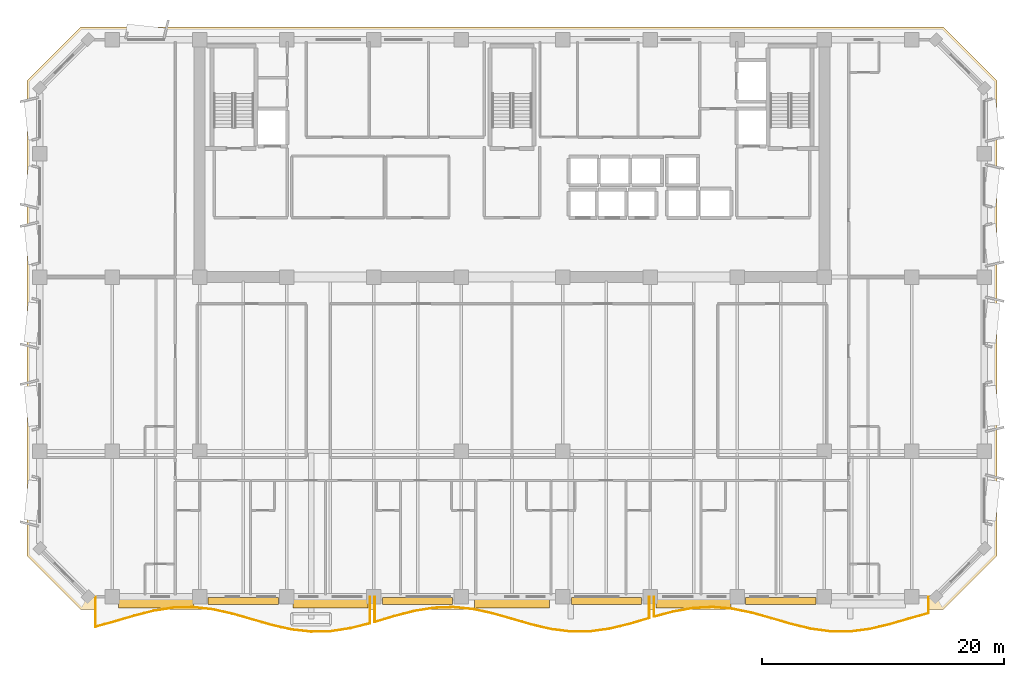
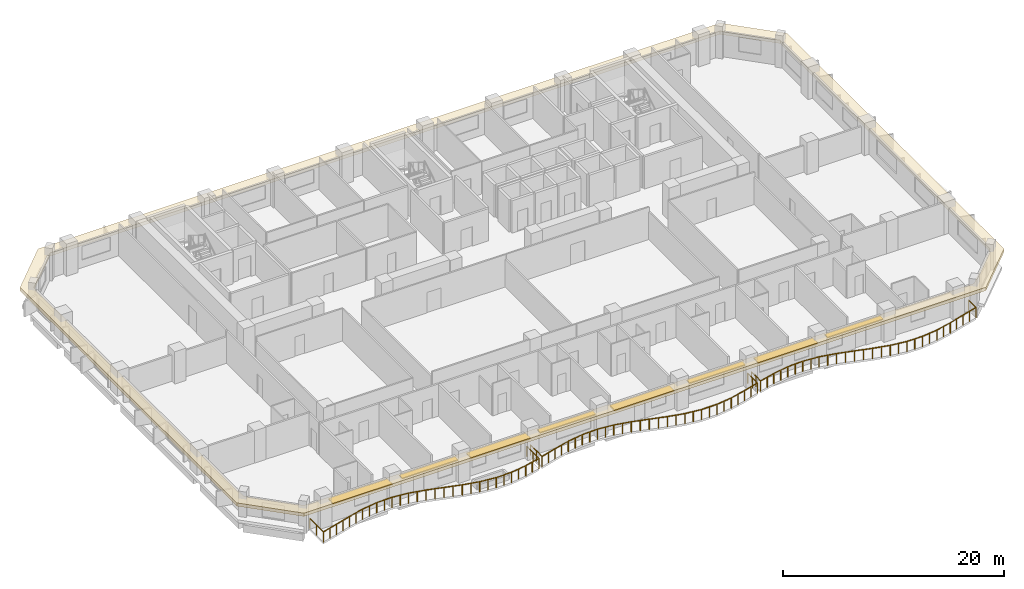
# One storey, part 11 of 15: 8 shading devices, 3 railings, 1 covering.
"""IFC4 building model written with IfcOpenShell, lengths in metres."""

from ifc_helpers import new_model, si_unit, direction, frame, origin, origin_2d, place, context, subcontext, project, spatial, polyline, rectangle, outline, extrude, material, layer, layer_set, type_object, element, save


model = new_model("IFC4")

# Units and contexts
model_context = context("Model", 3, precision=1e-05, world=origin(), true_north=direction((0.0, 1.0)))
body_context = subcontext(model_context, "Body", "Model", "MODEL_VIEW")
ifc_project = project(units=[si_unit("LENGTHUNIT", "METRE"), si_unit("AREAUNIT", "SQUARE_METRE"), si_unit("VOLUMEUNIT", "CUBIC_METRE"), si_unit("PLANEANGLEUNIT", "RADIAN"), si_unit("MASSUNIT", "GRAM", prefix="KILO")], contexts=[model_context])

# Site, building, storey
site_placement = place(None, origin())
site = spatial("IfcSite", under=ifc_project, at=site_placement, CompositionType="ELEMENT")
building_placement = place(site_placement, origin())
building = spatial("IfcBuilding", under=site, at=building_placement, Name="Kaelvorn Grand Hotel", CompositionType="ELEMENT")
storey_placement = place(building_placement, frame((0.0, 0.0, 154.35009765625)))
storey = spatial("IfcBuildingStorey", under=building, at=storey_placement, Name="L37", CompositionType="ELEMENT", Elevation=154.35009765625)

# Covering
ifc_material_1 = material(Name="Precast concrete C45/55", Category="concrete")
ifc_layer_1 = layer(ifc_material_1, 0.260009765625)
ifc_layer_set_1 = layer_set([ifc_layer_1], Name="Precast concrete C45/55")
covering_type = type_object("IfcCoveringType", Name="COV-BAND-STREAMLINE-HEAD", PredefinedType="CLADDING", material=ifc_layer_set_1)
covering_placement = place(storey_placement, frame((0.0, 0.0, 2.3798828125)))
element("IfcCovering", 1, at=covering_placement, inside=storey, type_object=covering_type, Name="L37 Streamline Moderne Wraparound Horizontal Eyebrow Band", PredefinedType="CLADDING", context=body_context, shape_type="SweptSolid", body=[
    extrude(outline(polyline([(6.389892578125, 1.949951171875), (77.610107421875, 1.949951171875), (82.050048828125, 6.389892578125), (82.050048828125, 45.610107421875), (77.610107421875, 50.050048828125), (6.389892578125, 50.050048828125), (1.949951171875, 45.610107421875), (1.949951171875, 6.389892578125), (6.389892578125, 1.949951171875)]), holes=[polyline([(7.02001953125, 3.030029296875), (76.97998046875, 3.030029296875), (80.969970703125, 7.02001953125), (80.969970703125, 44.97998046875), (76.97998046875, 48.969970703125), (7.02001953125, 48.969970703125), (3.030029296875, 44.97998046875), (3.030029296875, 7.02001953125), (7.02001953125, 3.030029296875)])]), origin(), (0.0, 0.0, 1.0), 0.360107421875),
])

# Railings
ifc_material_2 = material(Name="Stainless Steel", Category="steel")
railing_type = type_object("IfcRailingType", Name="RL-BALC-1150", PredefinedType="BALUSTRADE", material=ifc_material_2)
railing_1_placement = place(storey_placement, frame((7.60009765625, 3.0, 0.0)))
element("IfcRailing", 2, at=railing_1_placement, inside=storey, type_object=railing_type, Name="L37 Scalloped Wave Balcony Balustrade GR1-1", PredefinedType="BALUSTRADE", context=body_context, shape_type="SweptSolid", body=[
    extrude(rectangle(XDim=0.048095703125, YDim=0.048095703125, at=origin_2d()), frame((0.0, 0.0, 1.1259765625), z_axis=(0.0, -1.0, 0.0), x_axis=(1.0, 0.0, 0.0)), (0.0, 0.0, 1.0), 2.4775390625),
    extrude(rectangle(XDim=0.048095703125, YDim=0.048095703125, at=origin_2d()), frame((0.0, -2.4775390625, 1.1259765625), z_axis=(0.964706723911, 0.263326673244, 0.0), x_axis=(-0.263326673244, 0.964706723911, 0.0)), (0.0, 0.0, 1.0), 1.67822265625),
    extrude(rectangle(XDim=0.048095703125, YDim=0.048095703125, at=origin_2d()), frame((1.618896484375, -2.03564453125, 1.1259765625), z_axis=(0.959271015447, 0.282487378343, 0.0), x_axis=(-0.282487378343, 0.959271015447, 0.0)), (0.0, 0.0, 1.0), 1.68798828125),
    extrude(rectangle(XDim=0.048095703125, YDim=0.048095703125, at=origin_2d()), frame((3.238037109375, -1.558837890625, 1.1259765625), z_axis=(0.969684876745, 0.244358834119, 0.0), x_axis=(-0.244358834119, 0.969684876745, 0.0)), (0.0, 0.0, 1.0), 1.66943359375),
    extrude(rectangle(XDim=0.048095703125, YDim=0.048095703125, at=origin_2d()), frame((4.85693359375, -1.15087890625, 1.1259765625), z_axis=(0.988266376018, 0.152740204375, 0.0), x_axis=(-0.152740204375, 0.988266376018, 0.0)), (0.0, 0.0, 1.0), 1.638427734375),
    extrude(rectangle(XDim=0.048095703125, YDim=0.048095703125, at=origin_2d()), frame((6.47607421875, -0.900634765625, 1.1259765625), z_axis=(0.999719909885, 0.023666469519, 0.0), x_axis=(-0.023666469519, 0.999719909885, 0.0)), (0.0, 0.0, 1.0), 1.61962890625),
    extrude(rectangle(XDim=0.048095703125, YDim=0.048095703125, at=origin_2d()), frame((8.09521484375, -0.8623046875, 1.1259765625), z_axis=(0.993714448336, -0.111944607587, 0.0), x_axis=(0.111944607587, 0.993714448336, 0.0)), (0.0, 0.0, 1.0), 1.629150390625),
    extrude(rectangle(XDim=0.048095703125, YDim=0.048095703125, at=origin_2d()), frame((9.714111328125, -1.044677734375, 1.1259765625), z_axis=(0.975741913749, -0.218923999949, 0.0), x_axis=(0.218923999949, 0.975741913749, 0.0)), (0.0, 0.0, 1.0), 1.659423828125),
    extrude(rectangle(XDim=0.048095703125, YDim=0.048095703125, at=origin_2d()), frame((11.333251953125, -1.407958984375, 1.1259765625), z_axis=(0.961173148549, -0.275945970271, 0.0), x_axis=(0.275945970271, 0.961173148549, 0.0)), (0.0, 0.0, 1.0), 1.6845703125),
    extrude(rectangle(XDim=0.048095703125, YDim=0.048095703125, at=origin_2d()), frame((12.952392578125, -1.872802734375, 1.1259765625), z_axis=(0.961085178818, -0.276252201904, 0.0), x_axis=(0.276252201904, 0.961085178818, 0.0)), (0.0, 0.0, 1.0), 1.684326171875),
    extrude(rectangle(XDim=0.048095703125, YDim=0.048095703125, at=origin_2d()), frame((14.5712890625, -2.338134765625, 1.1259765625), z_axis=(0.975584547078, -0.219624205185, 0.0), x_axis=(0.219624205185, 0.975584547078, 0.0)), (0.0, 0.0, 1.0), 1.65966796875),
    extrude(rectangle(XDim=0.048095703125, YDim=0.048095703125, at=origin_2d()), frame((16.1904296875, -2.70263671875, 1.1259765625), z_axis=(0.993580397726, -0.113128215998, 0.0), x_axis=(0.113128215998, 0.993580397726, 0.0)), (0.0, 0.0, 1.0), 1.62939453125),
    extrude(rectangle(XDim=0.048095703125, YDim=0.048095703125, at=origin_2d()), frame((17.809326171875, -2.886962890625, 1.1259765625), z_axis=(0.999751090068, 0.022310488741, 0.0), x_axis=(-0.022310488741, 0.999751090068, 0.0)), (0.0, 0.0, 1.0), 1.61962890625),
    extrude(rectangle(XDim=0.048095703125, YDim=0.048095703125, at=origin_2d()), frame((19.428466796875, -2.850830078125, 1.1259765625), z_axis=(0.988423330197, 0.151721192723, 0.0), x_axis=(-0.151721192723, 0.988423330197, 0.0)), (0.0, 0.0, 1.0), 1.63818359375),
    extrude(rectangle(XDim=0.048095703125, YDim=0.048095703125, at=origin_2d()), frame((21.047607421875, -2.602294921875, 1.1259765625), z_axis=(0.969857916649, 0.243671133937, 0.0), x_axis=(-0.243671133937, 0.969857916649, 0.0)), (0.0, 0.0, 1.0), 1.669189453125),
    extrude(rectangle(XDim=0.048095703125, YDim=0.048095703125, at=origin_2d()), frame((22.66650390625, -2.195556640625, 1.1259765625), z_axis=(0.0, 1.0, 0.0), x_axis=(-1.0, 0.0, 0.0)), (0.0, 0.0, 1.0), 2.195556640625),
    extrude(rectangle(XDim=0.0419921875, YDim=0.0419921875, at=origin_2d()), origin(), (0.0, 0.0, 1.0), 1.101806640625),
    extrude(rectangle(XDim=0.0419921875, YDim=0.0419921875, at=origin_2d()), frame((0.0, -1.23876953125, 0.0)), (0.0, 0.0, 1.0), 1.101806640625),
    extrude(rectangle(XDim=0.0419921875, YDim=0.0419921875, at=origin_2d()), frame((0.0, -2.4775390625, 0.0)), (0.0, 0.0, 1.0), 1.101806640625),
    extrude(rectangle(XDim=0.0419921875, YDim=0.0419921875, at=origin_2d()), frame((0.8095703125, -2.256591796875, 0.0)), (0.0, 0.0, 1.0), 1.101806640625),
    extrude(rectangle(XDim=0.0419921875, YDim=0.0419921875, at=origin_2d()), frame((1.618896484375, -2.03564453125, 0.0)), (0.0, 0.0, 1.0), 1.101806640625),
    extrude(rectangle(XDim=0.0419921875, YDim=0.0419921875, at=origin_2d()), frame((2.428466796875, -1.79736328125, 0.0)), (0.0, 0.0, 1.0), 1.101806640625),
    extrude(rectangle(XDim=0.0419921875, YDim=0.0419921875, at=origin_2d()), frame((3.238037109375, -1.558837890625, 0.0)), (0.0, 0.0, 1.0), 1.101806640625),
    extrude(rectangle(XDim=0.0419921875, YDim=0.0419921875, at=origin_2d()), frame((4.04736328125, -1.35498046875, 0.0)), (0.0, 0.0, 1.0), 1.101806640625),
    extrude(rectangle(XDim=0.0419921875, YDim=0.0419921875, at=origin_2d()), frame((4.85693359375, -1.15087890625, 0.0)), (0.0, 0.0, 1.0), 1.101806640625),
    extrude(rectangle(XDim=0.0419921875, YDim=0.0419921875, at=origin_2d()), frame((5.66650390625, -1.02587890625, 0.0)), (0.0, 0.0, 1.0), 1.101806640625),
    extrude(rectangle(XDim=0.0419921875, YDim=0.0419921875, at=origin_2d()), frame((6.47607421875, -0.900634765625, 0.0)), (0.0, 0.0, 1.0), 1.101806640625),
    extrude(rectangle(XDim=0.0419921875, YDim=0.0419921875, at=origin_2d()), frame((7.28564453125, -0.88134765625, 0.0)), (0.0, 0.0, 1.0), 1.101806640625),
    extrude(rectangle(XDim=0.0419921875, YDim=0.0419921875, at=origin_2d()), frame((8.09521484375, -0.8623046875, 0.0)), (0.0, 0.0, 1.0), 1.101806640625),
    extrude(rectangle(XDim=0.0419921875, YDim=0.0419921875, at=origin_2d()), frame((8.90478515625, -0.95361328125, 0.0)), (0.0, 0.0, 1.0), 1.101806640625),
    extrude(rectangle(XDim=0.0419921875, YDim=0.0419921875, at=origin_2d()), frame((9.714111328125, -1.044677734375, 0.0)), (0.0, 0.0, 1.0), 1.101806640625),
    extrude(rectangle(XDim=0.0419921875, YDim=0.0419921875, at=origin_2d()), frame((10.523681640625, -1.226318359375, 0.0)), (0.0, 0.0, 1.0), 1.101806640625),
    extrude(rectangle(XDim=0.0419921875, YDim=0.0419921875, at=origin_2d()), frame((11.333251953125, -1.407958984375, 0.0)), (0.0, 0.0, 1.0), 1.101806640625),
    extrude(rectangle(XDim=0.0419921875, YDim=0.0419921875, at=origin_2d()), frame((12.142822265625, -1.640380859375, 0.0)), (0.0, 0.0, 1.0), 1.101806640625),
    extrude(rectangle(XDim=0.0419921875, YDim=0.0419921875, at=origin_2d()), frame((12.952392578125, -1.872802734375, 0.0)), (0.0, 0.0, 1.0), 1.101806640625),
    extrude(rectangle(XDim=0.0419921875, YDim=0.0419921875, at=origin_2d()), frame((13.76171875, -2.10546875, 0.0)), (0.0, 0.0, 1.0), 1.101806640625),
    extrude(rectangle(XDim=0.0419921875, YDim=0.0419921875, at=origin_2d()), frame((14.5712890625, -2.338134765625, 0.0)), (0.0, 0.0, 1.0), 1.101806640625),
    extrude(rectangle(XDim=0.0419921875, YDim=0.0419921875, at=origin_2d()), frame((15.380859375, -2.5205078125, 0.0)), (0.0, 0.0, 1.0), 1.101806640625),
    extrude(rectangle(XDim=0.0419921875, YDim=0.0419921875, at=origin_2d()), frame((16.1904296875, -2.70263671875, 0.0)), (0.0, 0.0, 1.0), 1.101806640625),
    extrude(rectangle(XDim=0.0419921875, YDim=0.0419921875, at=origin_2d()), frame((17.0, -2.794921875, 0.0)), (0.0, 0.0, 1.0), 1.101806640625),
    extrude(rectangle(XDim=0.0419921875, YDim=0.0419921875, at=origin_2d()), frame((17.809326171875, -2.886962890625, 0.0)), (0.0, 0.0, 1.0), 1.101806640625),
    extrude(rectangle(XDim=0.0419921875, YDim=0.0419921875, at=origin_2d()), frame((18.618896484375, -2.868896484375, 0.0)), (0.0, 0.0, 1.0), 1.101806640625),
    extrude(rectangle(XDim=0.0419921875, YDim=0.0419921875, at=origin_2d()), frame((19.428466796875, -2.850830078125, 0.0)), (0.0, 0.0, 1.0), 1.101806640625),
    extrude(rectangle(XDim=0.0419921875, YDim=0.0419921875, at=origin_2d()), frame((20.238037109375, -2.7265625, 0.0)), (0.0, 0.0, 1.0), 1.101806640625),
    extrude(rectangle(XDim=0.0419921875, YDim=0.0419921875, at=origin_2d()), frame((21.047607421875, -2.602294921875, 0.0)), (0.0, 0.0, 1.0), 1.101806640625),
    extrude(rectangle(XDim=0.0419921875, YDim=0.0419921875, at=origin_2d()), frame((21.85693359375, -2.39892578125, 0.0)), (0.0, 0.0, 1.0), 1.101806640625),
    extrude(rectangle(XDim=0.0419921875, YDim=0.0419921875, at=origin_2d()), frame((22.66650390625, -2.195556640625, 0.0)), (0.0, 0.0, 1.0), 1.101806640625),
    extrude(rectangle(XDim=0.0419921875, YDim=0.0419921875, at=origin_2d()), frame((22.66650390625, -1.09765625, 0.0)), (0.0, 0.0, 1.0), 1.101806640625),
    extrude(rectangle(XDim=0.0419921875, YDim=0.0419921875, at=origin_2d()), frame((22.66650390625, 0.0, 0.0)), (0.0, 0.0, 1.0), 1.101806640625),
])
railing_2_placement = place(storey_placement, frame((30.666748046875, 3.0, 0.0)))
element("IfcRailing", 3, at=railing_2_placement, inside=storey, type_object=railing_type, Name="L37 Scalloped Wave Balcony Balustrade GR1-2", PredefinedType="BALUSTRADE", context=body_context, shape_type="SweptSolid", body=[
    extrude(rectangle(XDim=0.048095703125, YDim=0.048095703125, at=origin_2d()), frame((0.0, 0.0, 1.1259765625), z_axis=(0.0, -1.0, 0.0), x_axis=(1.0, 0.0, 0.0)), (0.0, 0.0, 1.0), 2.080322265625),
    extrude(rectangle(XDim=0.048095703125, YDim=0.048095703125, at=origin_2d()), frame((0.0, -2.080322265625, 1.1259765625), z_axis=(0.959063249993, 0.283191953474, 0.0), x_axis=(-0.283191953474, 0.959063249993, 0.0)), (0.0, 0.0, 1.0), 1.68798828125),
    extrude(rectangle(XDim=0.048095703125, YDim=0.048095703125, at=origin_2d()), frame((1.618896484375, -1.602294921875, 1.1259765625), z_axis=(0.968153012553, 0.250359230478, 0.0), x_axis=(-0.250359230478, 0.968153012553, 0.0)), (0.0, 0.0, 1.0), 1.67236328125),
    extrude(rectangle(XDim=0.048095703125, YDim=0.048095703125, at=origin_2d()), frame((3.238037109375, -1.18359375, 1.1259765625), z_axis=(0.986570255456, 0.163337475949, 0.0), x_axis=(-0.163337475949, 0.986570255456, 0.0)), (0.0, 0.0, 1.0), 1.64111328125),
    extrude(rectangle(XDim=0.048095703125, YDim=0.048095703125, at=origin_2d()), frame((4.857177734375, -0.91552734375, 1.1259765625), z_axis=(0.999334712879, 0.036470969766, 0.0), x_axis=(-0.036470969766, 0.999334712879, 0.0)), (0.0, 0.0, 1.0), 1.619873046875),
    extrude(rectangle(XDim=0.048095703125, YDim=0.048095703125, at=origin_2d()), frame((6.47607421875, -0.8564453125, 1.1259765625), z_axis=(0.994995510951, -0.099919633639, 0.0), x_axis=(0.099919633639, 0.994995510951, 0.0)), (0.0, 0.0, 1.0), 1.627197265625),
    extrude(rectangle(XDim=0.048095703125, YDim=0.048095703125, at=origin_2d()), frame((8.09521484375, -1.01904296875, 1.1259765625), z_axis=(0.977557965922, -0.210666616393, 0.0), x_axis=(0.210666616393, 0.977557965922, 0.0)), (0.0, 0.0, 1.0), 1.656005859375),
    extrude(rectangle(XDim=0.048095703125, YDim=0.048095703125, at=origin_2d()), frame((9.714111328125, -1.367919921875, 1.1259765625), z_axis=(0.962015046514, -0.272996429062, 0.0), x_axis=(0.272996429062, 0.962015046514, 0.0)), (0.0, 0.0, 1.0), 1.68310546875),
    extrude(rectangle(XDim=0.048095703125, YDim=0.048095703125, at=origin_2d()), frame((11.333251953125, -1.827392578125, 1.1259765625), z_axis=(0.960401242625, -0.278620625876, 0.0), x_axis=(0.278620625876, 0.960401242625, 0.0)), (0.0, 0.0, 1.0), 1.685791015625),
    extrude(rectangle(XDim=0.048095703125, YDim=0.048095703125, at=origin_2d()), frame((12.952392578125, -2.297119140625, 1.1259765625), z_axis=(0.973816289073, -0.22733639202, 0.0), x_axis=(0.22733639202, 0.973816289073, 0.0)), (0.0, 0.0, 1.0), 1.662353515625),
    extrude(rectangle(XDim=0.048095703125, YDim=0.048095703125, at=origin_2d()), frame((14.5712890625, -2.675048828125, 1.1259765625), z_axis=(0.992185538276, -0.124771221188, 0.0), x_axis=(0.124771221188, 0.992185538276, 0.0)), (0.0, 0.0, 1.0), 1.6318359375),
    extrude(rectangle(XDim=0.048095703125, YDim=0.048095703125, at=origin_2d()), frame((16.1904296875, -2.878662109375, 1.1259765625), z_axis=(0.9999576899, 0.009198826585, 0.0), x_axis=(-0.009198826585, 0.9999576899, 0.0)), (0.0, 0.0, 1.0), 1.618896484375),
    extrude(rectangle(XDim=0.048095703125, YDim=0.048095703125, at=origin_2d()), frame((17.809326171875, -2.86376953125, 1.1259765625), z_axis=(0.9900626322, 0.140627110907, 0.0), x_axis=(-0.140627110907, 0.9900626322, 0.0)), (0.0, 0.0, 1.0), 1.635498046875),
    extrude(rectangle(XDim=0.048095703125, YDim=0.048095703125, at=origin_2d()), frame((19.428466796875, -2.6337890625, 1.1259765625), z_axis=(0.971438035801, 0.237293368214, 0.0), x_axis=(-0.237293368214, 0.971438035801, 0.0)), (0.0, 0.0, 1.0), 1.666748046875),
    extrude(rectangle(XDim=0.048095703125, YDim=0.048095703125, at=origin_2d()), frame((21.047607421875, -2.23828125, 1.1259765625), z_axis=(0.959650766176, 0.281194606949, 0.0), x_axis=(-0.281194606949, 0.959650766176, 0.0)), (0.0, 0.0, 1.0), 1.68701171875),
    extrude(rectangle(XDim=0.048095703125, YDim=0.048095703125, at=origin_2d()), frame((22.66650390625, -1.763916015625, 1.1259765625), z_axis=(0.0, 1.0, 0.0), x_axis=(-1.0, 0.0, 0.0)), (0.0, 0.0, 1.0), 1.763916015625),
    extrude(rectangle(XDim=0.0419921875, YDim=0.0419921875, at=origin_2d()), origin(), (0.0, 0.0, 1.0), 1.101806640625),
    extrude(rectangle(XDim=0.0419921875, YDim=0.0419921875, at=origin_2d()), frame((0.0, -1.0400390625, 0.0)), (0.0, 0.0, 1.0), 1.101806640625),
    extrude(rectangle(XDim=0.0419921875, YDim=0.0419921875, at=origin_2d()), frame((0.0, -2.080322265625, 0.0)), (0.0, 0.0, 1.0), 1.101806640625),
    extrude(rectangle(XDim=0.0419921875, YDim=0.0419921875, at=origin_2d()), frame((0.8095703125, -1.84130859375, 0.0)), (0.0, 0.0, 1.0), 1.101806640625),
    extrude(rectangle(XDim=0.0419921875, YDim=0.0419921875, at=origin_2d()), frame((1.618896484375, -1.602294921875, 0.0)), (0.0, 0.0, 1.0), 1.101806640625),
    extrude(rectangle(XDim=0.0419921875, YDim=0.0419921875, at=origin_2d()), frame((2.428466796875, -1.39306640625, 0.0)), (0.0, 0.0, 1.0), 1.101806640625),
    extrude(rectangle(XDim=0.0419921875, YDim=0.0419921875, at=origin_2d()), frame((3.238037109375, -1.18359375, 0.0)), (0.0, 0.0, 1.0), 1.101806640625),
    extrude(rectangle(XDim=0.0419921875, YDim=0.0419921875, at=origin_2d()), frame((4.047607421875, -1.049560546875, 0.0)), (0.0, 0.0, 1.0), 1.101806640625),
    extrude(rectangle(XDim=0.0419921875, YDim=0.0419921875, at=origin_2d()), frame((4.857177734375, -0.91552734375, 0.0)), (0.0, 0.0, 1.0), 1.101806640625),
    extrude(rectangle(XDim=0.0419921875, YDim=0.0419921875, at=origin_2d()), frame((5.66650390625, -0.885986328125, 0.0)), (0.0, 0.0, 1.0), 1.101806640625),
    extrude(rectangle(XDim=0.0419921875, YDim=0.0419921875, at=origin_2d()), frame((6.47607421875, -0.8564453125, 0.0)), (0.0, 0.0, 1.0), 1.101806640625),
    extrude(rectangle(XDim=0.0419921875, YDim=0.0419921875, at=origin_2d()), frame((7.28564453125, -0.937744140625, 0.0)), (0.0, 0.0, 1.0), 1.101806640625),
    extrude(rectangle(XDim=0.0419921875, YDim=0.0419921875, at=origin_2d()), frame((8.09521484375, -1.01904296875, 0.0)), (0.0, 0.0, 1.0), 1.101806640625),
    extrude(rectangle(XDim=0.0419921875, YDim=0.0419921875, at=origin_2d()), frame((8.90478515625, -1.193359375, 0.0)), (0.0, 0.0, 1.0), 1.101806640625),
    extrude(rectangle(XDim=0.0419921875, YDim=0.0419921875, at=origin_2d()), frame((9.714111328125, -1.367919921875, 0.0)), (0.0, 0.0, 1.0), 1.101806640625),
    extrude(rectangle(XDim=0.0419921875, YDim=0.0419921875, at=origin_2d()), frame((10.523681640625, -1.59765625, 0.0)), (0.0, 0.0, 1.0), 1.101806640625),
    extrude(rectangle(XDim=0.0419921875, YDim=0.0419921875, at=origin_2d()), frame((11.333251953125, -1.827392578125, 0.0)), (0.0, 0.0, 1.0), 1.101806640625),
    extrude(rectangle(XDim=0.0419921875, YDim=0.0419921875, at=origin_2d()), frame((12.142822265625, -2.062255859375, 0.0)), (0.0, 0.0, 1.0), 1.101806640625),
    extrude(rectangle(XDim=0.0419921875, YDim=0.0419921875, at=origin_2d()), frame((12.952392578125, -2.297119140625, 0.0)), (0.0, 0.0, 1.0), 1.101806640625),
    extrude(rectangle(XDim=0.0419921875, YDim=0.0419921875, at=origin_2d()), frame((13.76171875, -2.486083984375, 0.0)), (0.0, 0.0, 1.0), 1.101806640625),
    extrude(rectangle(XDim=0.0419921875, YDim=0.0419921875, at=origin_2d()), frame((14.5712890625, -2.675048828125, 0.0)), (0.0, 0.0, 1.0), 1.101806640625),
    extrude(rectangle(XDim=0.0419921875, YDim=0.0419921875, at=origin_2d()), frame((15.380859375, -2.77685546875, 0.0)), (0.0, 0.0, 1.0), 1.101806640625),
    extrude(rectangle(XDim=0.0419921875, YDim=0.0419921875, at=origin_2d()), frame((16.1904296875, -2.878662109375, 0.0)), (0.0, 0.0, 1.0), 1.101806640625),
    extrude(rectangle(XDim=0.0419921875, YDim=0.0419921875, at=origin_2d()), frame((17.0, -2.87109375, 0.0)), (0.0, 0.0, 1.0), 1.101806640625),
    extrude(rectangle(XDim=0.0419921875, YDim=0.0419921875, at=origin_2d()), frame((17.809326171875, -2.86376953125, 0.0)), (0.0, 0.0, 1.0), 1.101806640625),
    extrude(rectangle(XDim=0.0419921875, YDim=0.0419921875, at=origin_2d()), frame((18.618896484375, -2.748779296875, 0.0)), (0.0, 0.0, 1.0), 1.101806640625),
    extrude(rectangle(XDim=0.0419921875, YDim=0.0419921875, at=origin_2d()), frame((19.428466796875, -2.6337890625, 0.0)), (0.0, 0.0, 1.0), 1.101806640625),
    extrude(rectangle(XDim=0.0419921875, YDim=0.0419921875, at=origin_2d()), frame((20.238037109375, -2.43603515625, 0.0)), (0.0, 0.0, 1.0), 1.101806640625),
    extrude(rectangle(XDim=0.0419921875, YDim=0.0419921875, at=origin_2d()), frame((21.047607421875, -2.23828125, 0.0)), (0.0, 0.0, 1.0), 1.101806640625),
    extrude(rectangle(XDim=0.0419921875, YDim=0.0419921875, at=origin_2d()), frame((21.85693359375, -2.0009765625, 0.0)), (0.0, 0.0, 1.0), 1.101806640625),
    extrude(rectangle(XDim=0.0419921875, YDim=0.0419921875, at=origin_2d()), frame((22.66650390625, -1.763916015625, 0.0)), (0.0, 0.0, 1.0), 1.101806640625),
    extrude(rectangle(XDim=0.0419921875, YDim=0.0419921875, at=origin_2d()), frame((22.66650390625, -0.8818359375, 0.0)), (0.0, 0.0, 1.0), 1.101806640625),
    extrude(rectangle(XDim=0.0419921875, YDim=0.0419921875, at=origin_2d()), frame((22.66650390625, 0.0, 0.0)), (0.0, 0.0, 1.0), 1.101806640625),
])
railing_3_placement = place(storey_placement, frame((53.7333984375, 3.0, 0.0)))
element("IfcRailing", 4, at=railing_3_placement, inside=storey, type_object=railing_type, Name="L37 Scalloped Wave Balcony Balustrade GR1-3", PredefinedType="BALUSTRADE", context=body_context, shape_type="SweptSolid", body=[
    extrude(rectangle(XDim=0.048095703125, YDim=0.048095703125, at=origin_2d()), frame((0.0, 0.0, 1.1259765625), z_axis=(0.0, -1.0, 0.0), x_axis=(1.0, 0.0, 0.0)), (0.0, 0.0, 1.0), 1.646240234375),
    extrude(rectangle(XDim=0.048095703125, YDim=0.048095703125, at=origin_2d()), frame((0.0, -1.646240234375, 1.1259765625), z_axis=(0.966714773479, 0.255856496374, 0.0), x_axis=(-0.255856496374, 0.966714773479, 0.0)), (0.0, 0.0, 1.0), 1.674560546875),
    extrude(rectangle(XDim=0.048095703125, YDim=0.048095703125, at=origin_2d()), frame((1.618896484375, -1.2177734375, 1.1259765625), z_axis=(0.984817922582, 0.17359049329, 0.0), x_axis=(-0.17359049329, 0.984817922582, 0.0)), (0.0, 0.0, 1.0), 1.64404296875),
    extrude(rectangle(XDim=0.048095703125, YDim=0.048095703125, at=origin_2d()), frame((3.238037109375, -0.932373046875, 1.1259765625), z_axis=(0.998779232858, 0.049396801625, 0.0), x_axis=(-0.049396801625, 0.998779232858, 0.0)), (0.0, 0.0, 1.0), 1.62109375),
    extrude(rectangle(XDim=0.048095703125, YDim=0.048095703125, at=origin_2d()), frame((4.857177734375, -0.852294921875, 1.1259765625), z_axis=(0.996144150132, -0.087731591566, 0.0), x_axis=(0.087731591566, 0.996144150132, 0.0)), (0.0, 0.0, 1.0), 1.625244140625),
    extrude(rectangle(XDim=0.048095703125, YDim=0.048095703125, at=origin_2d()), frame((6.47607421875, -0.994873046875, 1.1259765625), z_axis=(0.979381482603, -0.202019582057, 0.0), x_axis=(0.202019582057, 0.979381482603, 0.0)), (0.0, 0.0, 1.0), 1.6533203125),
    extrude(rectangle(XDim=0.048095703125, YDim=0.048095703125, at=origin_2d()), frame((8.09521484375, -1.328857421875, 1.1259765625), z_axis=(0.962989656047, -0.269538350418, 0.0), x_axis=(0.269538350418, 0.962989656047, 0.0)), (0.0, 0.0, 1.0), 1.68115234375),
    extrude(rectangle(XDim=0.048095703125, YDim=0.048095703125, at=origin_2d()), frame((9.714111328125, -1.781982421875, 1.1259765625), z_axis=(0.959818254788, -0.280622375759, 0.0), x_axis=(0.280622375759, 0.959818254788, 0.0)), (0.0, 0.0, 1.0), 1.68701171875),
    extrude(rectangle(XDim=0.048095703125, YDim=0.048095703125, at=origin_2d()), frame((11.333251953125, -2.25537109375, 1.1259765625), z_axis=(0.972143279615, -0.234387379992, 0.0), x_axis=(0.234387379992, 0.972143279615, 0.0)), (0.0, 0.0, 1.0), 1.66552734375),
    extrude(rectangle(XDim=0.048095703125, YDim=0.048095703125, at=origin_2d()), frame((12.952392578125, -2.645751953125, 1.1259765625), z_axis=(0.990674050906, -0.136253164594, 0.0), x_axis=(0.136253164594, 0.990674050906, 0.0)), (0.0, 0.0, 1.0), 1.634033203125),
    extrude(rectangle(XDim=0.048095703125, YDim=0.048095703125, at=origin_2d()), frame((14.5712890625, -2.868408203125, 1.1259765625), z_axis=(0.999992315375, -0.003920355881, 0.0), x_axis=(0.003920355881, 0.999992315375, 0.0)), (0.0, 0.0, 1.0), 1.619140625),
    extrude(rectangle(XDim=0.048095703125, YDim=0.048095703125, at=origin_2d()), frame((16.1904296875, -2.874755859375, 1.1259765625), z_axis=(0.991601244907, 0.129332792045, 0.0), x_axis=(-0.129332792045, 0.991601244907, 0.0)), (0.0, 0.0, 1.0), 1.6328125),
    extrude(rectangle(XDim=0.048095703125, YDim=0.048095703125, at=origin_2d()), frame((17.8095703125, -2.66357421875, 1.1259765625), z_axis=(0.973129632445, 0.230257938969, 0.0), x_axis=(-0.230257938969, 0.973129632445, 0.0)), (0.0, 0.0, 1.0), 1.66357421875),
    extrude(rectangle(XDim=0.048095703125, YDim=0.048095703125, at=origin_2d()), frame((19.428466796875, -2.280517578125, 1.1259765625), z_axis=(0.960129612925, 0.279555229578, 0.0), x_axis=(-0.279555229578, 0.960129612925, 0.0)), (0.0, 0.0, 1.0), 1.686279296875),
    extrude(rectangle(XDim=0.048095703125, YDim=0.048095703125, at=origin_2d()), frame((21.047607421875, -1.80908203125, 1.1259765625), z_axis=(0.962422446372, 0.271556687854, 0.0), x_axis=(-0.271556687854, 0.962422446372, 0.0)), (0.0, 0.0, 1.0), 1.68212890625),
    extrude(rectangle(XDim=0.048095703125, YDim=0.048095703125, at=origin_2d()), frame((22.66650390625, -1.352294921875, 1.1259765625), z_axis=(0.0, 1.0, 0.0), x_axis=(-1.0, 0.0, 0.0)), (0.0, 0.0, 1.0), 1.352294921875),
    extrude(rectangle(XDim=0.0419921875, YDim=0.0419921875, at=origin_2d()), origin(), (0.0, 0.0, 1.0), 1.101806640625),
    extrude(rectangle(XDim=0.0419921875, YDim=0.0419921875, at=origin_2d()), frame((0.0, -0.8232421875, 0.0)), (0.0, 0.0, 1.0), 1.101806640625),
    extrude(rectangle(XDim=0.0419921875, YDim=0.0419921875, at=origin_2d()), frame((0.0, -1.646240234375, 0.0)), (0.0, 0.0, 1.0), 1.101806640625),
    extrude(rectangle(XDim=0.0419921875, YDim=0.0419921875, at=origin_2d()), frame((0.8095703125, -1.43212890625, 0.0)), (0.0, 0.0, 1.0), 1.101806640625),
    extrude(rectangle(XDim=0.0419921875, YDim=0.0419921875, at=origin_2d()), frame((1.618896484375, -1.2177734375, 0.0)), (0.0, 0.0, 1.0), 1.101806640625),
    extrude(rectangle(XDim=0.0419921875, YDim=0.0419921875, at=origin_2d()), frame((2.428466796875, -1.0751953125, 0.0)), (0.0, 0.0, 1.0), 1.101806640625),
    extrude(rectangle(XDim=0.0419921875, YDim=0.0419921875, at=origin_2d()), frame((3.238037109375, -0.932373046875, 0.0)), (0.0, 0.0, 1.0), 1.101806640625),
    extrude(rectangle(XDim=0.0419921875, YDim=0.0419921875, at=origin_2d()), frame((4.047607421875, -0.892333984375, 0.0)), (0.0, 0.0, 1.0), 1.101806640625),
    extrude(rectangle(XDim=0.0419921875, YDim=0.0419921875, at=origin_2d()), frame((4.857177734375, -0.852294921875, 0.0)), (0.0, 0.0, 1.0), 1.101806640625),
    extrude(rectangle(XDim=0.0419921875, YDim=0.0419921875, at=origin_2d()), frame((5.66650390625, -0.923583984375, 0.0)), (0.0, 0.0, 1.0), 1.101806640625),
    extrude(rectangle(XDim=0.0419921875, YDim=0.0419921875, at=origin_2d()), frame((6.47607421875, -0.994873046875, 0.0)), (0.0, 0.0, 1.0), 1.101806640625),
    extrude(rectangle(XDim=0.0419921875, YDim=0.0419921875, at=origin_2d()), frame((7.28564453125, -1.161865234375, 0.0)), (0.0, 0.0, 1.0), 1.101806640625),
    extrude(rectangle(XDim=0.0419921875, YDim=0.0419921875, at=origin_2d()), frame((8.09521484375, -1.328857421875, 0.0)), (0.0, 0.0, 1.0), 1.101806640625),
    extrude(rectangle(XDim=0.0419921875, YDim=0.0419921875, at=origin_2d()), frame((8.90478515625, -1.555419921875, 0.0)), (0.0, 0.0, 1.0), 1.101806640625),
    extrude(rectangle(XDim=0.0419921875, YDim=0.0419921875, at=origin_2d()), frame((9.714111328125, -1.781982421875, 0.0)), (0.0, 0.0, 1.0), 1.101806640625),
    extrude(rectangle(XDim=0.0419921875, YDim=0.0419921875, at=origin_2d()), frame((10.523681640625, -2.0185546875, 0.0)), (0.0, 0.0, 1.0), 1.101806640625),
    extrude(rectangle(XDim=0.0419921875, YDim=0.0419921875, at=origin_2d()), frame((11.333251953125, -2.25537109375, 0.0)), (0.0, 0.0, 1.0), 1.101806640625),
    extrude(rectangle(XDim=0.0419921875, YDim=0.0419921875, at=origin_2d()), frame((12.142822265625, -2.45068359375, 0.0)), (0.0, 0.0, 1.0), 1.101806640625),
    extrude(rectangle(XDim=0.0419921875, YDim=0.0419921875, at=origin_2d()), frame((12.952392578125, -2.645751953125, 0.0)), (0.0, 0.0, 1.0), 1.101806640625),
    extrude(rectangle(XDim=0.0419921875, YDim=0.0419921875, at=origin_2d()), frame((13.76171875, -2.757080078125, 0.0)), (0.0, 0.0, 1.0), 1.101806640625),
    extrude(rectangle(XDim=0.0419921875, YDim=0.0419921875, at=origin_2d()), frame((14.5712890625, -2.868408203125, 0.0)), (0.0, 0.0, 1.0), 1.101806640625),
    extrude(rectangle(XDim=0.0419921875, YDim=0.0419921875, at=origin_2d()), frame((15.380859375, -2.87158203125, 0.0)), (0.0, 0.0, 1.0), 1.101806640625),
    extrude(rectangle(XDim=0.0419921875, YDim=0.0419921875, at=origin_2d()), frame((16.1904296875, -2.874755859375, 0.0)), (0.0, 0.0, 1.0), 1.101806640625),
    extrude(rectangle(XDim=0.0419921875, YDim=0.0419921875, at=origin_2d()), frame((17.0, -2.76904296875, 0.0)), (0.0, 0.0, 1.0), 1.101806640625),
    extrude(rectangle(XDim=0.0419921875, YDim=0.0419921875, at=origin_2d()), frame((17.8095703125, -2.66357421875, 0.0)), (0.0, 0.0, 1.0), 1.101806640625),
    extrude(rectangle(XDim=0.0419921875, YDim=0.0419921875, at=origin_2d()), frame((18.619140625, -2.47216796875, 0.0)), (0.0, 0.0, 1.0), 1.101806640625),
    extrude(rectangle(XDim=0.0419921875, YDim=0.0419921875, at=origin_2d()), frame((19.428466796875, -2.280517578125, 0.0)), (0.0, 0.0, 1.0), 1.101806640625),
    extrude(rectangle(XDim=0.0419921875, YDim=0.0419921875, at=origin_2d()), frame((20.238037109375, -2.044921875, 0.0)), (0.0, 0.0, 1.0), 1.101806640625),
    extrude(rectangle(XDim=0.0419921875, YDim=0.0419921875, at=origin_2d()), frame((21.047607421875, -1.80908203125, 0.0)), (0.0, 0.0, 1.0), 1.101806640625),
    extrude(rectangle(XDim=0.0419921875, YDim=0.0419921875, at=origin_2d()), frame((21.85693359375, -1.58056640625, 0.0)), (0.0, 0.0, 1.0), 1.101806640625),
    extrude(rectangle(XDim=0.0419921875, YDim=0.0419921875, at=origin_2d()), frame((22.66650390625, -1.352294921875, 0.0)), (0.0, 0.0, 1.0), 1.101806640625),
    extrude(rectangle(XDim=0.0419921875, YDim=0.0419921875, at=origin_2d()), frame((22.66650390625, 0.0, 0.0)), (0.0, 0.0, 1.0), 1.101806640625),
])

# Shading devices
ifc_layer_2 = layer(ifc_material_1, 0.1201171875)
ifc_layer_set_2 = layer_set([ifc_layer_2], Name="Precast concrete C45/55")
shading_device_type_1 = type_object("IfcShadingDeviceType", Name="SHD-SUNSHADE-550", PredefinedType="USERDEFINED", material=ifc_layer_set_2)
for number, where, z_axis, x_axis, name in (
    (5, (19.800048828125, 2.64501953125, 2.559814453125), (0.0, 0.0, 1.0), (1.0, 0.0, 0.0), "L37 Horizontal Concrete Sunshade Band SS-03"),
    (6, (34.199951171875, 2.64501953125, 2.559814453125), (0.0, 0.0, 1.0), (1.0, 0.0, 0.0), "L37 Horizontal Concrete Sunshade Band SS-05"),
    (7, (49.800048828125, 2.64501953125, 2.559814453125), (0.0, 0.0, 1.0), (1.0, 0.0, 0.0), "L37 Horizontal Concrete Sunshade Band SS-07"),
    (8, (64.199951171875, 2.64501953125, 2.559814453125), (0.0, 0.0, 1.0), (1.0, 0.0, 0.0), "L37 Horizontal Concrete Sunshade Band SS-09"),
):
    element("IfcShadingDevice", number, at=place(storey_placement, frame(where, z_axis=z_axis, x_axis=x_axis)), inside=storey, type_object=shading_device_type_1, Name=name, ObjectType="SUNSHADE", PredefinedType="USERDEFINED", context=body_context, shape_type="SweptSolid", body=[
        extrude(rectangle(XDim=5.800048828125, YDim=0.550048828125, at=origin_2d()), origin(), (0.0, 0.0, 1.0), 0.1201171875),
    ])
ifc_layer_3 = layer(ifc_material_1, 0.139892578125)
ifc_layer_set_3 = layer_set([ifc_layer_3], Name="Precast concrete C45/55")
shading_device_type_2 = type_object("IfcShadingDeviceType", Name="SHD-SUNSHADE-850", PredefinedType="USERDEFINED", material=ifc_layer_set_3)
for number, where, z_axis, x_axis, name in (
    (9, (12.60009765625, 2.4951171875, 2.5498046875), (0.0, 0.0, 1.0), (1.0, 0.0, 0.0), "L37 Horizontal Concrete Sunshade Band SS-02"),
    (10, (27.0, 2.4951171875, 2.5498046875), (0.0, 0.0, 1.0), (1.0, 0.0, 0.0), "L37 Horizontal Concrete Sunshade Band SS-04"),
    (11, (42.0, 2.4951171875, 2.5498046875), (0.0, 0.0, 1.0), (1.0, 0.0, 0.0), "L37 Horizontal Concrete Sunshade Band SS-06"),
    (12, (57.0, 2.4951171875, 2.5498046875), (0.0, 0.0, 1.0), (1.0, 0.0, 0.0), "L37 Horizontal Concrete Sunshade Band SS-08"),
):
    element("IfcShadingDevice", number, at=place(storey_placement, frame(where, z_axis=z_axis, x_axis=x_axis)), inside=storey, type_object=shading_device_type_2, Name=name, ObjectType="SUNSHADE", PredefinedType="USERDEFINED", context=body_context, shape_type="SweptSolid", body=[
        extrude(rectangle(XDim=6.199951171875, YDim=0.85009765625, at=origin_2d()), origin(), (0.0, 0.0, 1.0), 0.139892578125),
    ])

save(model, "model.ifc")
